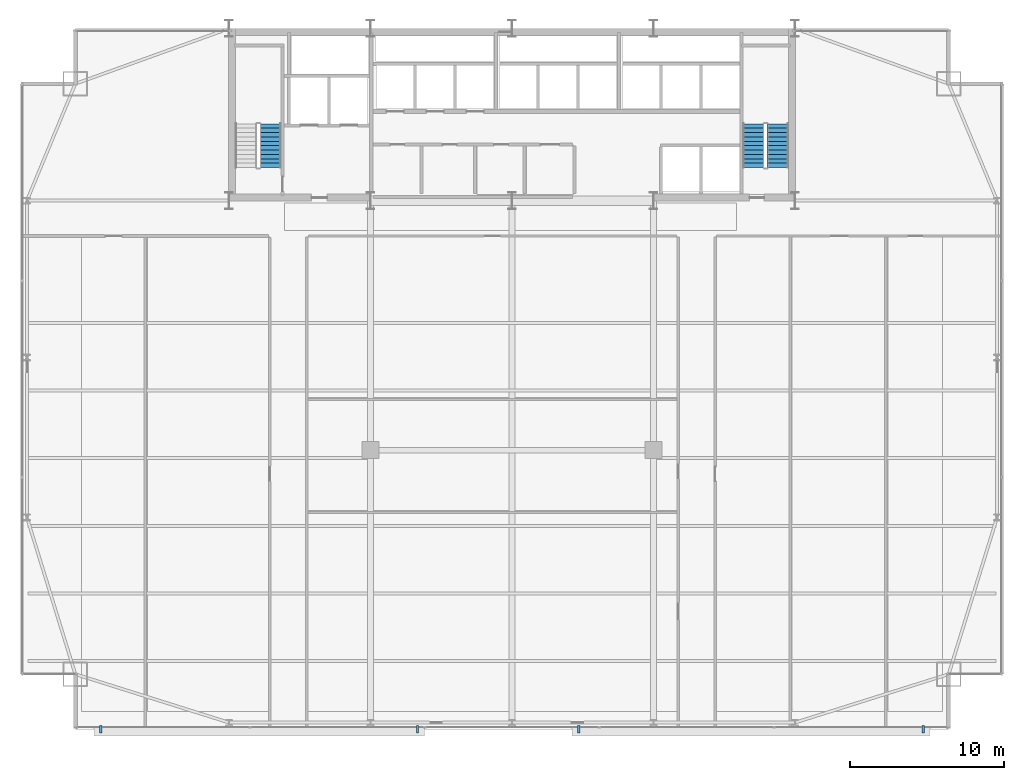
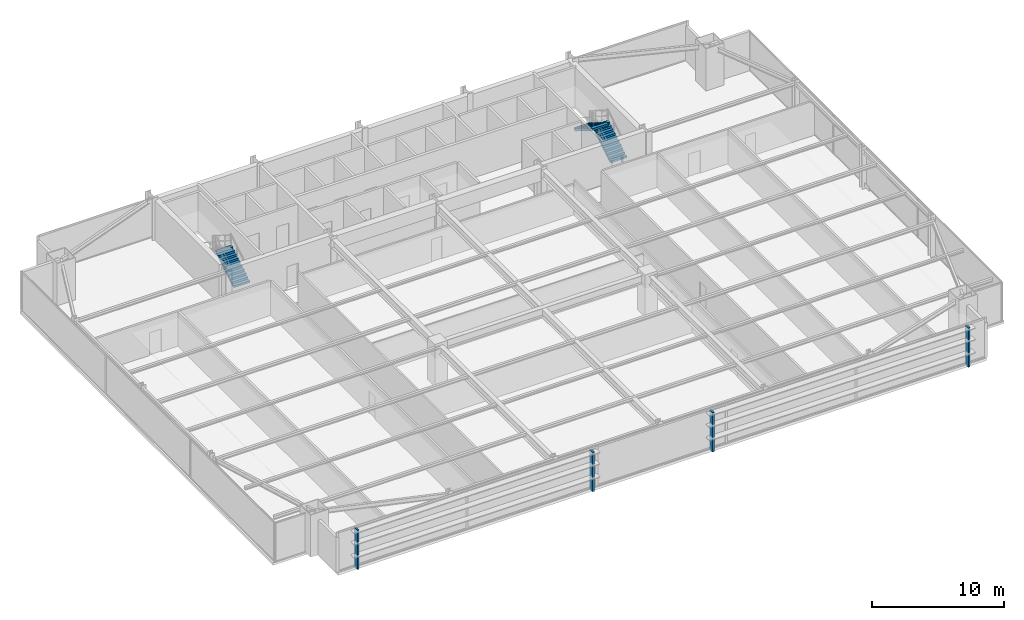
# One storey, part 30 of 32: 4 discrete accessories, 3 stair flights, 2 elements without a shape of their own.
"""IFC4 building model written with IfcOpenShell, lengths in metres."""

from ifc_helpers import new_model, si_unit, direction, frame, origin, origin_2d, place, context, subcontext, project, spatial, polyline, rectangle, outline, extrude, source, transform, mapped, material, layer, layer_set, type_object, type_shapes, element, aggregate, save


model = new_model("IFC4")

# Units and contexts
model_context = context("Model", 3, precision=1e-05, world=origin(), true_north=direction((0.0, 1.0)))
body_context = subcontext(model_context, "Body", "Model", "MODEL_VIEW")
ifc_project = project(units=[si_unit("LENGTHUNIT", "METRE"), si_unit("AREAUNIT", "SQUARE_METRE"), si_unit("VOLUMEUNIT", "CUBIC_METRE"), si_unit("PLANEANGLEUNIT", "RADIAN"), si_unit("MASSUNIT", "GRAM", prefix="KILO")], contexts=[model_context])

# Site, building, storey
site_placement = place(None, origin())
site = spatial("IfcSite", under=ifc_project, at=site_placement, CompositionType="ELEMENT")
building_placement = place(site_placement, origin())
building = spatial("IfcBuilding", under=site, at=building_placement, Name="Varnel Quay Broadcast Tower", CompositionType="ELEMENT")
storey_placement = place(building_placement, frame((0.0, 0.0, 70.5)))
storey = spatial("IfcBuildingStorey", under=building, at=storey_placement, Name="L16", CompositionType="ELEMENT", Elevation=70.5)

# Stair, stair flight
ifc_material_1 = material(Name="Precast Structural Concrete C40/50", Category="concrete")
stair_type_1 = type_object("IfcStairType", Name="Stair_ST-01", PredefinedType="HALF_TURN_STAIR", material=ifc_material_1)
stair_1_placement = place(storey_placement, origin())
stair_1 = element("IfcStair", 1, at=stair_1_placement, inside=storey, type_object=stair_type_1, Name="L16 West Core Exit Stair 1", PredefinedType="HALF_TURN_STAIR")
stair_flight_type_1 = type_object("IfcStairFlightType", Name="Flight_ST-01", PredefinedType="STRAIGHT", material=ifc_material_1)
stair_flight_1_placement = place(storey_placement, frame((18.300048828125, 37.75, 0.0), z_axis=(0.0, 0.0, 1.0), x_axis=(0.0, 1.0, 0.0)))
stair_flight_1 = element("IfcStairFlight", 2, at=stair_flight_1_placement, type_object=stair_flight_type_1, Name="ST-01 flight 1", NumberOfRisers=11, NumberOfTreads=10, PredefinedType="STRAIGHT", RiserHeight=0.177272727, TreadLength=0.285, context=body_context, shape_type="SweptSolid", body=[
    extrude(outline(polyline([(0.0, 0.0), (0.0, 0.17724609375), (0.284912109375, 0.17724609375), (0.284912109375, 0.3544921875), (0.570068359375, 0.3544921875), (0.570068359375, 0.53173828125), (0.85498046875, 0.53173828125), (0.85498046875, 0.708984375), (1.139892578125, 0.708984375), (1.139892578125, 0.886474609375), (1.425048828125, 0.886474609375), (1.425048828125, 1.063720703125), (1.7099609375, 1.063720703125), (1.7099609375, 1.240966796875), (1.9951171875, 1.240966796875), (1.9951171875, 1.418212890625), (2.280029296875, 1.418212890625), (2.280029296875, 1.595458984375), (2.56494140625, 1.595458984375), (2.56494140625, 1.772705078125), (2.85009765625, 1.772705078125), (2.85009765625, 1.949951171875), (2.85009765625, 1.59619140625), (0.283935546875, 0.0), (0.0, 0.0)])), frame((0.0, 0.699951171875, 0.0), z_axis=(0.0, -1.0, 0.0), x_axis=(1.0, 0.0, 0.0)), (0.0, 0.0, 1.0), 1.39990234375),
])
aggregate(stair_1, [stair_flight_1])

# Stair, stair flights
stair_type_2 = type_object("IfcStairType", Name="Stair_ST-02", PredefinedType="HALF_TURN_STAIR", material=ifc_material_1)
stair_2_placement = place(storey_placement, origin())
stair_2 = element("IfcStair", 3, at=stair_2_placement, inside=storey, type_object=stair_type_2, Name="L16 East Core Exit Stair 2", PredefinedType="HALF_TURN_STAIR")
stair_flight_type_2 = type_object("IfcStairFlightType", Name="Flight_ST-02", PredefinedType="STRAIGHT", material=ifc_material_1)
stair_flight_2_placement = place(storey_placement, frame((51.300048828125, 37.75, 0.0), z_axis=(0.0, 0.0, 1.0), x_axis=(0.0, 1.0, 0.0)))
stair_flight_2 = element("IfcStairFlight", 4, at=stair_flight_2_placement, type_object=stair_flight_type_2, Name="ST-02 flight 1", NumberOfRisers=11, NumberOfTreads=10, PredefinedType="STRAIGHT", RiserHeight=0.177272727, TreadLength=0.285, context=body_context, shape_type="SweptSolid", body=[
    extrude(outline(polyline([(0.0, 0.0), (0.0, 0.17724609375), (0.284912109375, 0.17724609375), (0.284912109375, 0.3544921875), (0.570068359375, 0.3544921875), (0.570068359375, 0.53173828125), (0.85498046875, 0.53173828125), (0.85498046875, 0.708984375), (1.139892578125, 0.708984375), (1.139892578125, 0.886474609375), (1.425048828125, 0.886474609375), (1.425048828125, 1.063720703125), (1.7099609375, 1.063720703125), (1.7099609375, 1.240966796875), (1.9951171875, 1.240966796875), (1.9951171875, 1.418212890625), (2.280029296875, 1.418212890625), (2.280029296875, 1.595458984375), (2.56494140625, 1.595458984375), (2.56494140625, 1.772705078125), (2.85009765625, 1.772705078125), (2.85009765625, 1.949951171875), (2.85009765625, 1.59619140625), (0.283935546875, 0.0), (0.0, 0.0)])), frame((0.0, 0.699951171875, 0.0), z_axis=(0.0, -1.0, 0.0), x_axis=(1.0, 0.0, 0.0)), (0.0, 0.0, 1.0), 1.39990234375),
])
stair_flight_3_placement = place(storey_placement, frame((49.699951171875, 40.60009765625, 1.949951171875), z_axis=(0.0, 0.0, 1.0), x_axis=(0.0, -1.0, 0.0)))
stair_flight_3 = element("IfcStairFlight", 5, at=stair_flight_3_placement, type_object=stair_flight_type_2, Name="ST-02 flight 2", NumberOfRisers=11, NumberOfTreads=10, PredefinedType="STRAIGHT", RiserHeight=0.177272727, TreadLength=0.285, context=body_context, shape_type="SweptSolid", body=[
    extrude(outline(polyline([(0.0, 0.0), (0.0, 0.17724609375), (0.284912109375, 0.17724609375), (0.284912109375, 0.3544921875), (0.570068359375, 0.3544921875), (0.570068359375, 0.53173828125), (0.85498046875, 0.53173828125), (0.85498046875, 0.708984375), (1.139892578125, 0.708984375), (1.139892578125, 0.886474609375), (1.425048828125, 0.886474609375), (1.425048828125, 1.063720703125), (1.7099609375, 1.063720703125), (1.7099609375, 1.240966796875), (1.9951171875, 1.240966796875), (1.9951171875, 1.418212890625), (2.280029296875, 1.418212890625), (2.280029296875, 1.595458984375), (2.56494140625, 1.595458984375), (2.56494140625, 1.772705078125), (2.85009765625, 1.772705078125), (2.85009765625, 1.949951171875), (2.85009765625, 1.59619140625), (0.283935546875, 0.0), (0.0, 0.0)])), frame((0.0, 0.699951171875, 0.0), z_axis=(0.0, -1.0, 0.0), x_axis=(1.0, 0.0, 0.0)), (0.0, 0.0, 1.0), 1.39990234375),
])
aggregate(stair_2, [stair_flight_2, stair_flight_3])

# Discrete accessories
ifc_material_2 = material(Name="Anodised Bronze Aluminium 6063-T6", Category="aluminium")
ifc_layer = layer(ifc_material_2, 0.47998046875, Name="Anodised Bronze Aluminium 6063-T6")
ifc_layer_set = layer_set([ifc_layer], Name="Anodised Bronze Aluminium 6063-T6")
discrete_accessory_type = type_object("IfcDiscreteAccessoryType", Name="Acc_FacadeBracket", PredefinedType="BRACKET", material=ifc_layer_set)
shared_shape = source(origin(), body_context, "Body", "SweptSolid", [
    extrude(rectangle(XDim=0.159912109375, YDim=0.47998046875, at=origin_2d()), origin(), (0.0, 0.0, 1.0), 3.64990234375),
])
type_shapes(discrete_accessory_type, [shared_shape])
for number, where, z_axis, x_axis, name in (
    (6, (7.25, 1.219970703125, -0.14990234375), (0.0, 0.0, 1.0), (1.0, 0.0, 0.0), "L16 Lobe 1 Louvre Support Bracket 1"),
    (7, (27.85498046875, 1.219970703125, -0.14990234375), (0.0, 0.0, 1.0), (1.0, 0.0, 0.0), "L16 Lobe 1 Louvre Support Bracket 2"),
    (8, (38.35498046875, 1.219970703125, -0.14990234375), (0.0, 0.0, 1.0), (1.0, 0.0, 0.0), "L16 Lobe 2 Louvre Support Bracket 1"),
    (9, (60.75, 1.219970703125, -0.14990234375), (0.0, 0.0, 1.0), (1.0, 0.0, 0.0), "L16 Lobe 2 Louvre Support Bracket 2"),
):
    element("IfcDiscreteAccessory", number, at=place(storey_placement, frame(where, z_axis=z_axis, x_axis=x_axis)), inside=storey, type_object=discrete_accessory_type, Name=name, PredefinedType="BRACKET", context=body_context, shape_type="MappedRepresentation", body=[
        mapped(shared_shape, transform((0.0, 0.0, 0.0), x_axis=(1.0, 0.0, 0.0), y_axis=(0.0, 1.0, 0.0), z_axis=(0.0, 0.0, 1.0), scale=1.0)),
    ])

save(model, "model.ifc")
